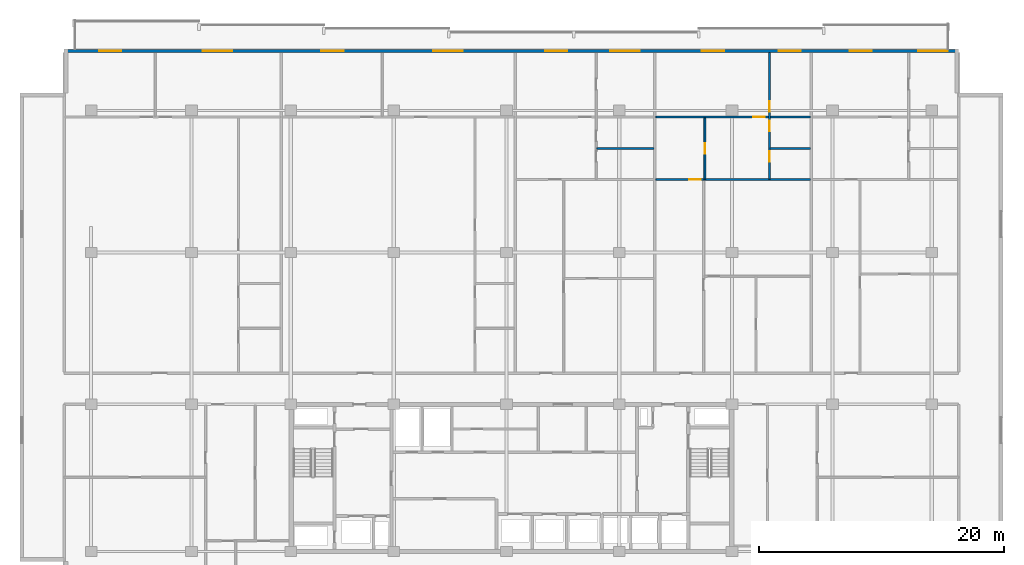
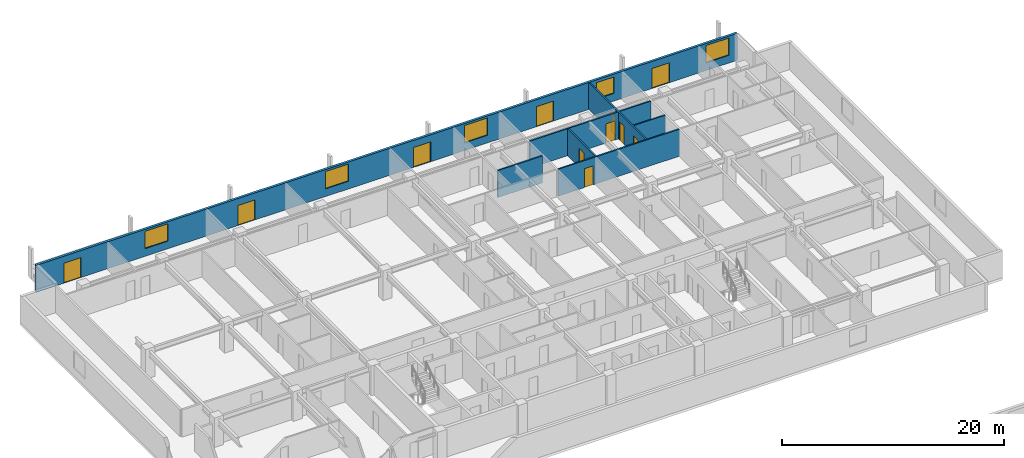
# One storey, part 14 of 21: 11 doors, 7 walls, 5 windows, 16 openings.
"""IFC4 building model written with IfcOpenShell, lengths in metres."""

from ifc_helpers import new_model, si_unit, direction, frame, frame_2d, origin, place, context, subcontext, project, spatial, rectangle, extrude, material, layer, layer_set, type_object, element, fill, save


model = new_model("IFC4")

# Units and contexts
model_context = context("Model", 3, precision=1e-05, world=origin(), true_north=direction((0.0, 1.0)))
body_context = subcontext(model_context, "Body", "Model", "MODEL_VIEW")
ifc_project = project(units=[si_unit("LENGTHUNIT", "METRE"), si_unit("AREAUNIT", "SQUARE_METRE"), si_unit("VOLUMEUNIT", "CUBIC_METRE"), si_unit("PLANEANGLEUNIT", "RADIAN"), si_unit("MASSUNIT", "GRAM", prefix="KILO")], contexts=[model_context])

# Site, building, storey
site_placement = place(None, origin())
site = spatial("IfcSite", under=ifc_project, at=site_placement, CompositionType="ELEMENT")
building_placement = place(site_placement, origin())
building = spatial("IfcBuilding", under=site, at=building_placement, Name="Korimba Cascade Residences", CompositionType="ELEMENT")
storey_placement = place(building_placement, frame((0.0, 0.0, 113.300048828125)))
storey = spatial("IfcBuildingStorey", under=building, at=storey_placement, Name="L32", CompositionType="ELEMENT", Elevation=113.300048828125)

# Wall, openings, doors, windows
ifc_material_1 = material(Name="Precast concrete C40/50", Category="concrete")
ifc_layer_1 = layer(ifc_material_1, 0.25)
ifc_layer_set_1 = layer_set([ifc_layer_1], Name="Precast concrete C40/50")
wall_type_1 = type_object("IfcWallType", Name="EW-LOG-250", PredefinedType="STANDARD", material=ifc_layer_set_1)
wall_1_placement = place(storey_placement, frame((130.60009765625, 96.050048828125, 0.0), z_axis=(0.0, 0.0, 1.0), x_axis=(-1.0, 0.0, 0.0)))
wall_1 = element("IfcWall", 1, at=wall_1_placement, inside=storey, type_object=wall_type_1, Name="L32 T1 Perimeter Stone Wall E06", PredefinedType="STANDARD", context=body_context, shape_type="SweptSolid", body=[
    extrude(rectangle(XDim=73.0, YDim=0.25, at=frame_2d((36.5, 0.0))), origin(), (0.0, 0.0, 1.0), 2.969970703125),
])
opening_1_placement = place(wall_1_placement, frame((68.31884765625, 0.0, 0.0)))
opening_1 = element("IfcOpeningElement", 2, at=opening_1_placement, cuts=wall_1, Name="Opening D-LG1", PredefinedType="OPENING", context=body_context, shape_type="SweptSolid", body=[
    extrude(rectangle(XDim=1.800048828125, YDim=2.199951171875, at=frame_2d((0.89990234375, 1.10009765625))), frame((0.0, 0.135009765625, 0.0), z_axis=(0.0, -1.0, 0.0), x_axis=(1.0, 0.0, 0.0)), (0.0, 0.0, 1.0), 0.27001953125),
])
opening_2_placement = place(wall_1_placement, frame((59.276611328125, 0.0, 0.85009765625)))
opening_2 = element("IfcOpeningElement", 3, at=opening_2_placement, cuts=wall_1, Name="Opening W-01", PredefinedType="OPENING", context=body_context, shape_type="SweptSolid", body=[
    extrude(rectangle(XDim=2.39990234375, YDim=1.89990234375, at=frame_2d((1.199951171875, 0.949951171875))), frame((0.0, 0.135009765625, 0.0), z_axis=(0.0, -1.0, 0.0), x_axis=(1.0, 0.0, 0.0)), (0.0, 0.0, 1.0), 0.27001953125),
])
opening_3_placement = place(wall_1_placement, frame((50.198974609375, 0.0, 0.0)))
opening_3 = element("IfcOpeningElement", 4, at=opening_3_placement, cuts=wall_1, Name="Opening D-LG1", PredefinedType="OPENING", context=body_context, shape_type="SweptSolid", body=[
    extrude(rectangle(XDim=1.800048828125, YDim=2.199951171875, at=frame_2d((0.89990234375, 1.10009765625))), frame((0.0, 0.135009765625, 0.0), z_axis=(0.0, -1.0, 0.0), x_axis=(1.0, 0.0, 0.0)), (0.0, 0.0, 1.0), 0.27001953125),
])
opening_4_placement = place(wall_1_placement, frame((40.48095703125, 0.0, 0.85009765625)))
opening_4 = element("IfcOpeningElement", 5, at=opening_4_placement, cuts=wall_1, Name="Opening W-01", PredefinedType="OPENING", context=body_context, shape_type="SweptSolid", body=[
    extrude(rectangle(XDim=2.39990234375, YDim=1.89990234375, at=frame_2d((1.199951171875, 0.949951171875))), frame((0.0, 0.135009765625, 0.0), z_axis=(0.0, -1.0, 0.0), x_axis=(1.0, 0.0, 0.0)), (0.0, 0.0, 1.0), 0.27001953125),
])
opening_5_placement = place(wall_1_placement, frame((31.9296875, 0.0, 0.0)))
opening_5 = element("IfcOpeningElement", 6, at=opening_5_placement, cuts=wall_1, Name="Opening D-LG1", PredefinedType="OPENING", context=body_context, shape_type="SweptSolid", body=[
    extrude(rectangle(XDim=1.800048828125, YDim=2.199951171875, at=frame_2d((0.89990234375, 1.10009765625))), frame((0.0, 0.135009765625, 0.0), z_axis=(0.0, -1.0, 0.0), x_axis=(1.0, 0.0, 0.0)), (0.0, 0.0, 1.0), 0.27001953125),
])
opening_6_placement = place(wall_1_placement, frame((26.041748046875, 0.0, 0.85009765625)))
opening_6 = element("IfcOpeningElement", 7, at=opening_6_placement, cuts=wall_1, Name="Opening W-01", PredefinedType="OPENING", context=body_context, shape_type="SweptSolid", body=[
    extrude(rectangle(XDim=2.39990234375, YDim=1.89990234375, at=frame_2d((1.199951171875, 0.949951171875))), frame((0.0, 0.135009765625, 0.0), z_axis=(0.0, -1.0, 0.0), x_axis=(1.0, 0.0, 0.0)), (0.0, 0.0, 1.0), 0.27001953125),
])
opening_7_placement = place(wall_1_placement, frame((19.149658203125, 0.0, 0.0)))
opening_7 = element("IfcOpeningElement", 8, at=opening_7_placement, cuts=wall_1, Name="Opening D-LG1", PredefinedType="OPENING", context=body_context, shape_type="SweptSolid", body=[
    extrude(rectangle(XDim=1.800048828125, YDim=2.199951171875, at=frame_2d((0.89990234375, 1.10009765625))), frame((0.0, 0.135009765625, 0.0), z_axis=(0.0, -1.0, 0.0), x_axis=(1.0, 0.0, 0.0)), (0.0, 0.0, 1.0), 0.27001953125),
])
opening_8_placement = place(wall_1_placement, frame((12.885986328125, 0.0, 0.85009765625)))
opening_8 = element("IfcOpeningElement", 9, at=opening_8_placement, cuts=wall_1, Name="Opening W-02", PredefinedType="OPENING", context=body_context, shape_type="SweptSolid", body=[
    extrude(rectangle(XDim=1.800048828125, YDim=1.800048828125, at=frame_2d((0.89990234375, 0.89990234375))), frame((0.0, 0.135009765625, 0.0), z_axis=(0.0, -1.0, 0.0), x_axis=(1.0, 0.0, 0.0)), (0.0, 0.0, 1.0), 0.27001953125),
])
opening_9_placement = place(wall_1_placement, frame((7.087890625, 0.0, 0.0)))
opening_9 = element("IfcOpeningElement", 10, at=opening_9_placement, cuts=wall_1, Name="Opening D-LG1", PredefinedType="OPENING", context=body_context, shape_type="SweptSolid", body=[
    extrude(rectangle(XDim=1.800048828125, YDim=2.199951171875, at=frame_2d((0.89990234375, 1.10009765625))), frame((0.0, 0.135009765625, 0.0), z_axis=(0.0, -1.0, 0.0), x_axis=(1.0, 0.0, 0.0)), (0.0, 0.0, 1.0), 0.27001953125),
])
opening_10_placement = place(wall_1_placement, frame((0.89990234375, 0.0, 0.85009765625)))
opening_10 = element("IfcOpeningElement", 11, at=opening_10_placement, cuts=wall_1, Name="Opening W-01", PredefinedType="OPENING", context=body_context, shape_type="SweptSolid", body=[
    extrude(rectangle(XDim=2.39990234375, YDim=1.89990234375, at=frame_2d((1.199951171875, 0.949951171875))), frame((0.0, 0.135009765625, 0.0), z_axis=(0.0, -1.0, 0.0), x_axis=(1.0, 0.0, 0.0)), (0.0, 0.0, 1.0), 0.27001953125),
])
ifc_material_2 = material(Name="Glazed Aluminium Loggia Sliding Door", Category="aluminium")
door_type_1 = type_object("IfcDoorType", Name="DR-EXT-LOG", OperationType="NOTDEFINED", PredefinedType="DOOR", material=ifc_material_2)
door_1_placement = place(opening_1_placement, origin())
door_1 = element("IfcDoor", 12, at=door_1_placement, inside=storey, type_object=door_type_1, Name="L32 T1 Loggia Sliding Door 3", OperationType="SLIDING_TO_LEFT", OverallHeight=2.199951171875, OverallWidth=1.800048828125, PredefinedType="DOOR", context=body_context, shape_type="SweptSolid", body=[
    extrude(rectangle(XDim=1.800048828125, YDim=2.199951171875, at=frame_2d((0.89990234375, 1.10009765625))), frame((0.0, 0.02490234375, 0.0), z_axis=(0.0, -1.0, 0.0), x_axis=(1.0, 0.0, 0.0)), (0.0, 0.0, 1.0), 0.050048828125),
])
fill(opening_1, door_1)
door_2_placement = place(opening_3_placement, origin())
door_2 = element("IfcDoor", 13, at=door_2_placement, inside=storey, type_object=door_type_1, Name="L32 T1 Loggia Sliding Door 5", OperationType="SLIDING_TO_LEFT", OverallHeight=2.199951171875, OverallWidth=1.800048828125, PredefinedType="DOOR", context=body_context, shape_type="SweptSolid", body=[
    extrude(rectangle(XDim=1.800048828125, YDim=2.199951171875, at=frame_2d((0.89990234375, 1.10009765625))), frame((0.0, 0.02490234375, 0.0), z_axis=(0.0, -1.0, 0.0), x_axis=(1.0, 0.0, 0.0)), (0.0, 0.0, 1.0), 0.050048828125),
])
fill(opening_3, door_2)
door_3_placement = place(opening_5_placement, origin())
door_3 = element("IfcDoor", 14, at=door_3_placement, inside=storey, type_object=door_type_1, Name="L32 T1 Loggia Sliding Door 7", OperationType="SLIDING_TO_LEFT", OverallHeight=2.199951171875, OverallWidth=1.800048828125, PredefinedType="DOOR", context=body_context, shape_type="SweptSolid", body=[
    extrude(rectangle(XDim=1.800048828125, YDim=2.199951171875, at=frame_2d((0.89990234375, 1.10009765625))), frame((0.0, 0.02490234375, 0.0), z_axis=(0.0, -1.0, 0.0), x_axis=(1.0, 0.0, 0.0)), (0.0, 0.0, 1.0), 0.050048828125),
])
fill(opening_5, door_3)
door_4_placement = place(opening_7_placement, origin())
door_4 = element("IfcDoor", 15, at=door_4_placement, inside=storey, type_object=door_type_1, Name="L32 T1 Loggia Sliding Door 9", OperationType="SLIDING_TO_LEFT", OverallHeight=2.199951171875, OverallWidth=1.800048828125, PredefinedType="DOOR", context=body_context, shape_type="SweptSolid", body=[
    extrude(rectangle(XDim=1.800048828125, YDim=2.199951171875, at=frame_2d((0.89990234375, 1.10009765625))), frame((0.0, 0.02490234375, 0.0), z_axis=(0.0, -1.0, 0.0), x_axis=(1.0, 0.0, 0.0)), (0.0, 0.0, 1.0), 0.050048828125),
])
fill(opening_7, door_4)
door_5_placement = place(opening_9_placement, origin())
door_5 = element("IfcDoor", 16, at=door_5_placement, inside=storey, type_object=door_type_1, Name="L32 T1 Loggia Sliding Door 11", OperationType="SLIDING_TO_LEFT", OverallHeight=2.199951171875, OverallWidth=1.800048828125, PredefinedType="DOOR", context=body_context, shape_type="SweptSolid", body=[
    extrude(rectangle(XDim=1.800048828125, YDim=2.199951171875, at=frame_2d((0.89990234375, 1.10009765625))), frame((0.0, 0.02490234375, 0.0), z_axis=(0.0, -1.0, 0.0), x_axis=(1.0, 0.0, 0.0)), (0.0, 0.0, 1.0), 0.050048828125),
])
fill(opening_9, door_5)
ifc_material_3 = material(Name="Double-Glazed Aluminium Window", Category="aluminium")
window_type_1 = type_object("IfcWindowType", Name="WIN-BED-1800", PartitioningType="SINGLE_PANEL", PredefinedType="WINDOW", material=ifc_material_3)
window_1_placement = place(opening_8_placement, origin())
window_1 = element("IfcWindow", 17, at=window_1_placement, inside=storey, type_object=window_type_1, Name="L32 T1 North Facade Window 10", OverallHeight=1.800048828125, OverallWidth=1.800048828125, PartitioningType="SINGLE_PANEL", PredefinedType="WINDOW", context=body_context, shape_type="SweptSolid", body=[
    extrude(rectangle(XDim=1.800048828125, YDim=1.800048828125, at=frame_2d((0.89990234375, 0.89990234375))), frame((0.0, 0.030029296875, 0.0), z_axis=(0.0, -1.0, 0.0), x_axis=(1.0, 0.0, 0.0)), (0.0, 0.0, 1.0), 0.06005859375),
])
fill(opening_8, window_1)
window_type_2 = type_object("IfcWindowType", Name="WIN-RES-2400", PartitioningType="DOUBLE_PANEL_VERTICAL", PredefinedType="WINDOW", material=ifc_material_3)
window_2_placement = place(opening_2_placement, origin())
window_2 = element("IfcWindow", 18, at=window_2_placement, inside=storey, type_object=window_type_2, Name="L32 T1 North Facade Window 4", OverallHeight=1.89990234375, OverallWidth=2.39990234375, PartitioningType="DOUBLE_PANEL_VERTICAL", PredefinedType="WINDOW", context=body_context, shape_type="SweptSolid", body=[
    extrude(rectangle(XDim=2.39990234375, YDim=1.89990234375, at=frame_2d((1.199951171875, 0.949951171875))), frame((0.0, 0.030029296875, 0.0), z_axis=(0.0, -1.0, 0.0), x_axis=(1.0, 0.0, 0.0)), (0.0, 0.0, 1.0), 0.06005859375),
])
fill(opening_2, window_2)
window_3_placement = place(opening_4_placement, origin())
window_3 = element("IfcWindow", 19, at=window_3_placement, inside=storey, type_object=window_type_2, Name="L32 T1 North Facade Window 6", OverallHeight=1.89990234375, OverallWidth=2.39990234375, PartitioningType="DOUBLE_PANEL_VERTICAL", PredefinedType="WINDOW", context=body_context, shape_type="SweptSolid", body=[
    extrude(rectangle(XDim=2.39990234375, YDim=1.89990234375, at=frame_2d((1.199951171875, 0.949951171875))), frame((0.0, 0.030029296875, 0.0), z_axis=(0.0, -1.0, 0.0), x_axis=(1.0, 0.0, 0.0)), (0.0, 0.0, 1.0), 0.06005859375),
])
fill(opening_4, window_3)
window_4_placement = place(opening_6_placement, origin())
window_4 = element("IfcWindow", 20, at=window_4_placement, inside=storey, type_object=window_type_2, Name="L32 T1 North Facade Window 8", OverallHeight=1.89990234375, OverallWidth=2.39990234375, PartitioningType="DOUBLE_PANEL_VERTICAL", PredefinedType="WINDOW", context=body_context, shape_type="SweptSolid", body=[
    extrude(rectangle(XDim=2.39990234375, YDim=1.89990234375, at=frame_2d((1.199951171875, 0.949951171875))), frame((0.0, 0.030029296875, 0.0), z_axis=(0.0, -1.0, 0.0), x_axis=(1.0, 0.0, 0.0)), (0.0, 0.0, 1.0), 0.06005859375),
])
fill(opening_6, window_4)
window_5_placement = place(opening_10_placement, origin())
window_5 = element("IfcWindow", 21, at=window_5_placement, inside=storey, type_object=window_type_2, Name="L32 T1 North Facade Window 12", OverallHeight=1.89990234375, OverallWidth=2.39990234375, PartitioningType="DOUBLE_PANEL_VERTICAL", PredefinedType="WINDOW", context=body_context, shape_type="SweptSolid", body=[
    extrude(rectangle(XDim=2.39990234375, YDim=1.89990234375, at=frame_2d((1.199951171875, 0.949951171875))), frame((0.0, 0.030029296875, 0.0), z_axis=(0.0, -1.0, 0.0), x_axis=(1.0, 0.0, 0.0)), (0.0, 0.0, 1.0), 0.06005859375),
])
fill(opening_10, window_5)

# Wall
ifc_material_4 = material(Name="Insulated Acoustic Stud Partition", Category="gypsum")
ifc_layer_2 = layer(ifc_material_4, 0.14990234375)
ifc_layer_set_2 = layer_set([ifc_layer_2], Name="Insulated Acoustic Stud Partition")
wall_type_2 = type_object("IfcWallType", Name="WAL-PART-150", PredefinedType="PARTITIONING", material=ifc_layer_set_2)
wall_2_placement = place(storey_placement, frame((101.080078125, 88.090087890625, 0.0), z_axis=(0.0, 0.0, 1.0), x_axis=(1.0, 0.0, 0.0)))
element("IfcWall", 22, at=wall_2_placement, inside=storey, type_object=wall_type_2, Name="L32 Partition Wall WAL-L32-T1-U03-BLDIV", PredefinedType="PARTITIONING", context=body_context, shape_type="SweptSolid", body=[
    extrude(rectangle(XDim=4.656494140625, YDim=0.14990234375, at=frame_2d((2.328125, 0.0))), origin(), (0.0, 0.0, 1.0), 2.969970703125),
])

# Wall, opening, door
wall_3_placement = place(storey_placement, frame((109.88671875, 85.590087890625, 0.0), z_axis=(0.0, 0.0, 1.0), x_axis=(0.0, 1.0, 0.0)))
wall_3 = element("IfcWall", 23, at=wall_3_placement, inside=storey, type_object=wall_type_2, Name="L32 Partition Wall WAL-L32-T1-U04-VDIN", PredefinedType="PARTITIONING", context=body_context, shape_type="SweptSolid", body=[
    extrude(rectangle(XDim=5.0, YDim=0.14990234375, at=frame_2d((2.5, 0.0))), origin(), (0.0, 0.0, 1.0), 2.969970703125),
])
opening_11_placement = place(wall_3_placement, frame((2.06005859375, 0.0, 0.0)))
opening_11 = element("IfcOpeningElement", 24, at=opening_11_placement, cuts=wall_3, Name="Opening D-IN2", PredefinedType="OPENING", context=body_context, shape_type="SweptSolid", body=[
    extrude(rectangle(XDim=0.8798828125, YDim=2.06005859375, at=frame_2d((0.43994140625, 1.030029296875))), frame((0.0, 0.0849609375, 0.0), z_axis=(0.0, -1.0, 0.0), x_axis=(1.0, 0.0, 0.0)), (0.0, 0.0, 1.0), 0.169921875),
])
ifc_material_5 = material(Name="Acoustic Timber Bedroom Door", Category="wood")
door_type_2 = type_object("IfcDoorType", Name="DR-INT-880", OperationType="NOTDEFINED", PredefinedType="DOOR", material=ifc_material_5)
door_6_placement = place(opening_11_placement, origin())
door_6 = element("IfcDoor", 25, at=door_6_placement, inside=storey, type_object=door_type_2, Name="L32-T1-U04 Dining Room Door", OperationType="SINGLE_SWING_RIGHT", OverallHeight=2.06005859375, OverallWidth=0.8798828125, PredefinedType="DOOR", context=body_context, shape_type="SweptSolid", body=[
    extrude(rectangle(XDim=0.8798828125, YDim=2.06005859375, at=frame_2d((0.43994140625, 1.030029296875))), frame((0.0, 0.02490234375, 0.0), z_axis=(0.0, -1.0, 0.0), x_axis=(1.0, 0.0, 0.0)), (0.0, 0.0, 1.0), 0.050048828125),
])
fill(opening_11, door_6)

# Wall
wall_4_placement = place(storey_placement, frame((115.223876953125, 88.090087890625, 0.0), z_axis=(0.0, 0.0, 1.0), x_axis=(1.0, 0.0, 0.0)))
element("IfcWall", 26, at=wall_4_placement, inside=storey, type_object=wall_type_2, Name="L32 Partition Wall WAL-L32-T1-U04-BLDIV", PredefinedType="PARTITIONING", context=body_context, shape_type="SweptSolid", body=[
    extrude(rectangle(XDim=3.280029296875, YDim=0.14990234375, at=frame_2d((1.64013671875, 0.0))), origin(), (0.0, 0.0, 1.0), 2.969970703125),
])

# Wall, openings, doors
wall_5_placement = place(storey_placement, frame((115.163818359375, 85.590087890625, 0.0), z_axis=(0.0, 0.0, 1.0), x_axis=(0.0, 1.0, 0.0)))
wall_5 = element("IfcWall", 27, at=wall_5_placement, inside=storey, type_object=wall_type_2, Name="L32 Partition Wall WAL-L32-T1-U04-V1", PredefinedType="PARTITIONING", context=body_context, shape_type="SweptSolid", body=[
    extrude(rectangle(XDim=10.309814453125, YDim=0.14990234375, at=frame_2d((5.15478515625, 0.0))), origin(), (0.0, 0.0, 1.0), 2.969970703125),
])
opening_12_placement = place(wall_5_placement, frame((1.430419921875, 0.0, 0.0)))
opening_12 = element("IfcOpeningElement", 28, at=opening_12_placement, cuts=wall_5, Name="Opening D-BT1", PredefinedType="OPENING", context=body_context, shape_type="SweptSolid", body=[
    extrude(rectangle(XDim=0.840087890625, YDim=2.0400390625, at=frame_2d((0.419921875, 1.02001953125))), frame((0.0, 0.0849609375, 0.0), z_axis=(0.0, -1.0, 0.0), x_axis=(1.0, 0.0, 0.0)), (0.0, 0.0, 1.0), 0.169921875),
])
opening_13_placement = place(wall_5_placement, frame((3.919921875, 0.0, 0.0)))
opening_13 = element("IfcOpeningElement", 29, at=opening_13_placement, cuts=wall_5, Name="Opening D-BT1", PredefinedType="OPENING", context=body_context, shape_type="SweptSolid", body=[
    extrude(rectangle(XDim=0.840087890625, YDim=2.0400390625, at=frame_2d((0.419921875, 1.02001953125))), frame((0.0, 0.0849609375, 0.0), z_axis=(0.0, -1.0, 0.0), x_axis=(1.0, 0.0, 0.0)), (0.0, 0.0, 1.0), 0.169921875),
])
opening_14_placement = place(wall_5_placement, frame((5.47998046875, 0.0, 0.0)))
opening_14 = element("IfcOpeningElement", 30, at=opening_14_placement, cuts=wall_5, Name="Opening D-IN2", PredefinedType="OPENING", context=body_context, shape_type="SweptSolid", body=[
    extrude(rectangle(XDim=0.8798828125, YDim=2.06005859375, at=frame_2d((0.43994140625, 1.030029296875))), frame((0.0, 0.0849609375, 0.0), z_axis=(0.0, -1.0, 0.0), x_axis=(1.0, 0.0, 0.0)), (0.0, 0.0, 1.0), 0.169921875),
])
ifc_material_6 = material(Name="Moisture-Resistant Bathroom Timber Door", Category="wood")
door_type_3 = type_object("IfcDoorType", Name="DR-INT-850", OperationType="NOTDEFINED", PredefinedType="DOOR", material=ifc_material_6)
door_7_placement = place(opening_12_placement, origin())
door_7 = element("IfcDoor", 31, at=door_7_placement, inside=storey, type_object=door_type_3, Name="L32-T1-U04 Bathroom Door", OperationType="SINGLE_SWING_LEFT", OverallHeight=2.0400390625, OverallWidth=0.840087890625, PredefinedType="DOOR", context=body_context, shape_type="SweptSolid", body=[
    extrude(rectangle(XDim=0.840087890625, YDim=2.0400390625, at=frame_2d((0.419921875, 1.02001953125))), frame((0.0, 0.02490234375, 0.0), z_axis=(0.0, -1.0, 0.0), x_axis=(1.0, 0.0, 0.0)), (0.0, 0.0, 1.0), 0.050048828125),
])
fill(opening_12, door_7)
door_8_placement = place(opening_13_placement, origin())
door_8 = element("IfcDoor", 32, at=door_8_placement, inside=storey, type_object=door_type_3, Name="L32-T1-U04 Laundry Door", OperationType="SINGLE_SWING_RIGHT", OverallHeight=2.0400390625, OverallWidth=0.840087890625, PredefinedType="DOOR", context=body_context, shape_type="SweptSolid", body=[
    extrude(rectangle(XDim=0.840087890625, YDim=2.0400390625, at=frame_2d((0.419921875, 1.02001953125))), frame((0.0, 0.02490234375, 0.0), z_axis=(0.0, -1.0, 0.0), x_axis=(1.0, 0.0, 0.0)), (0.0, 0.0, 1.0), 0.050048828125),
])
fill(opening_13, door_8)
door_9_placement = place(opening_14_placement, origin())
door_9 = element("IfcDoor", 33, at=door_9_placement, inside=storey, type_object=door_type_2, Name="L32-T1-U04 Bedroom 1 Door", OperationType="SINGLE_SWING_LEFT", OverallHeight=2.06005859375, OverallWidth=0.8798828125, PredefinedType="DOOR", context=body_context, shape_type="SweptSolid", body=[
    extrude(rectangle(XDim=0.8798828125, YDim=2.06005859375, at=frame_2d((0.43994140625, 1.030029296875))), frame((0.0, 0.02490234375, 0.0), z_axis=(0.0, -1.0, 0.0), x_axis=(1.0, 0.0, 0.0)), (0.0, 0.0, 1.0), 0.050048828125),
])
fill(opening_14, door_9)

# Wall, opening, door
wall_6_placement = place(storey_placement, frame((105.896484375, 85.550048828125, 0.0), z_axis=(0.0, 0.0, 1.0), x_axis=(1.0, 0.0, 0.0)))
wall_6 = element("IfcWall", 34, at=wall_6_placement, inside=storey, type_object=wall_type_2, Name="L32 Partition Wall WAL-L32-T1-U04-MW", PredefinedType="PARTITIONING", context=body_context, shape_type="SweptSolid", body=[
    extrude(rectangle(XDim=12.607421875, YDim=0.14990234375, at=frame_2d((6.3037109375, 0.0))), origin(), (0.0, 0.0, 1.0), 2.969970703125),
])
opening_15_placement = place(wall_6_placement, frame((2.719970703125, 0.0, 0.0)))
opening_15 = element("IfcOpeningElement", 35, at=opening_15_placement, cuts=wall_6, Name="Opening D-IN1", PredefinedType="OPENING", context=body_context, shape_type="SweptSolid", body=[
    extrude(rectangle(XDim=0.919921875, YDim=2.080078125, at=frame_2d((0.4599609375, 1.0400390625))), frame((0.0, 0.0849609375, 0.0), z_axis=(0.0, -1.0, 0.0), x_axis=(1.0, 0.0, 0.0)), (0.0, 0.0, 1.0), 0.169921875),
])
ifc_material_7 = material(Name="Acoustic Timber Living Door", Category="wood")
door_type_4 = type_object("IfcDoorType", Name="DR-INT-920", OperationType="NOTDEFINED", PredefinedType="DOOR", material=ifc_material_7)
door_10_placement = place(opening_15_placement, origin())
door_10 = element("IfcDoor", 36, at=door_10_placement, inside=storey, type_object=door_type_4, Name="L32-T1-U04 Kitchen Archway Door", OperationType="SINGLE_SWING_RIGHT", OverallHeight=2.080078125, OverallWidth=0.919921875, PredefinedType="DOOR", context=body_context, shape_type="SweptSolid", body=[
    extrude(rectangle(XDim=0.919921875, YDim=2.080078125, at=frame_2d((0.4599609375, 1.0400390625))), frame((0.0, 0.02490234375, 0.0), z_axis=(0.0, -1.0, 0.0), x_axis=(1.0, 0.0, 0.0)), (0.0, 0.0, 1.0), 0.050048828125),
])
fill(opening_15, door_10)

wall_7_placement = place(storey_placement, frame((105.896484375, 90.64990234375, 0.0), z_axis=(0.0, 0.0, 1.0), x_axis=(1.0, 0.0, 0.0)))
wall_7 = element("IfcWall", 37, at=wall_7_placement, inside=storey, type_object=wall_type_2, Name="L32 Partition Wall WAL-L32-T1-U04-HZ", PredefinedType="PARTITIONING", context=body_context, shape_type="SweptSolid", body=[
    extrude(rectangle(XDim=12.607421875, YDim=0.14990234375, at=frame_2d((6.3037109375, 0.0))), origin(), (0.0, 0.0, 1.0), 2.969970703125),
])
opening_16_placement = place(wall_7_placement, frame((7.9208984375, 0.0, 0.0)))
opening_16 = element("IfcOpeningElement", 38, at=opening_16_placement, cuts=wall_7, Name="Opening D-IN0", PredefinedType="OPENING", context=body_context, shape_type="SweptSolid", body=[
    extrude(rectangle(XDim=0.93994140625, YDim=2.10009765625, at=frame_2d((0.469970703125, 1.050048828125))), frame((0.0, 0.0849609375, 0.0), z_axis=(0.0, -1.0, 0.0), x_axis=(1.0, 0.0, 0.0)), (0.0, 0.0, 1.0), 0.169921875),
])
ifc_material_8 = material(Name="Acoustic Timber Living Archway Door", Category="wood")
door_type_5 = type_object("IfcDoorType", Name="DR-INT-950", OperationType="NOTDEFINED", PredefinedType="DOOR", material=ifc_material_8)
door_11_placement = place(opening_16_placement, origin())
door_11 = element("IfcDoor", 39, at=door_11_placement, inside=storey, type_object=door_type_5, Name="L32-T1-U04 Living Archway Door", OperationType="SINGLE_SWING_LEFT", OverallHeight=2.10009765625, OverallWidth=0.93994140625, PredefinedType="DOOR", context=body_context, shape_type="SweptSolid", body=[
    extrude(rectangle(XDim=0.93994140625, YDim=2.10009765625, at=frame_2d((0.469970703125, 1.050048828125))), frame((0.0, 0.02490234375, 0.0), z_axis=(0.0, -1.0, 0.0), x_axis=(1.0, 0.0, 0.0)), (0.0, 0.0, 1.0), 0.050048828125),
])
fill(opening_16, door_11)

save(model, "model.ifc")
